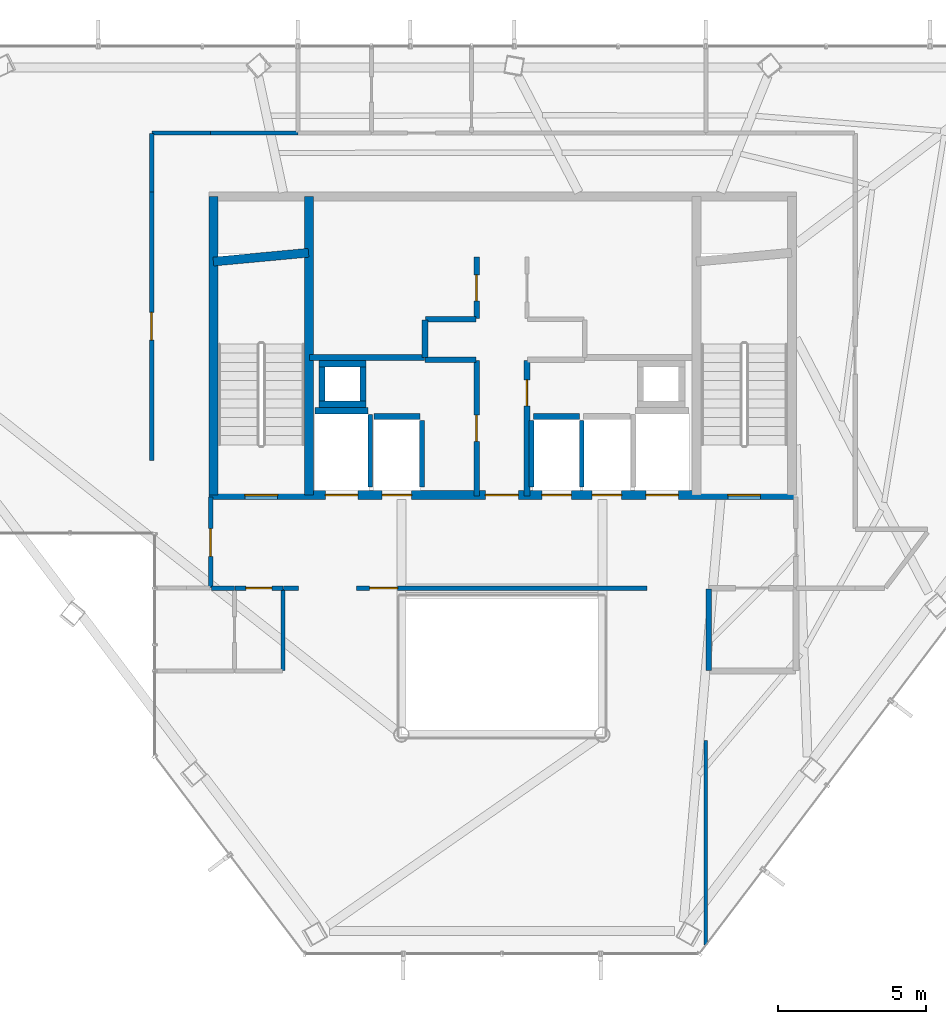
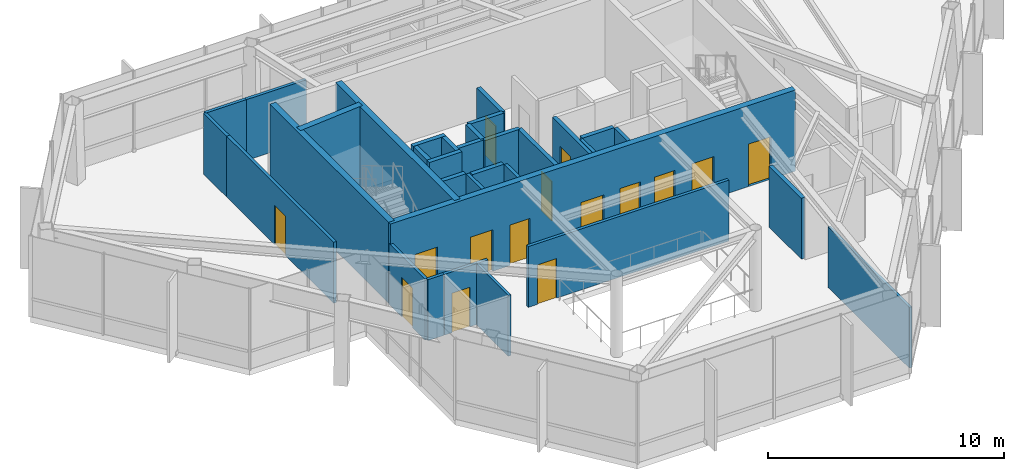
# One storey, part 19 of 22: 34 walls, 15 doors, 15 openings.
"""IFC4 building model written with IfcOpenShell, lengths in metres."""

from ifc_helpers import new_model, si_unit, direction, frame, frame_2d, origin, place, context, subcontext, project, spatial, rectangle, extrude, material, layer, layer_set, type_object, element, fill, save


model = new_model("IFC4")

# Units and contexts
model_context = context("Model", 3, precision=1e-05, world=origin(), true_north=direction((0.0, 1.0)))
body_context = subcontext(model_context, "Body", "Model", "MODEL_VIEW")
ifc_project = project(units=[si_unit("LENGTHUNIT", "METRE"), si_unit("AREAUNIT", "SQUARE_METRE"), si_unit("VOLUMEUNIT", "CUBIC_METRE"), si_unit("PLANEANGLEUNIT", "RADIAN"), si_unit("MASSUNIT", "GRAM", prefix="KILO")], contexts=[model_context])

# Site, building, storey
site_placement = place(None, origin())
site = spatial("IfcSite", under=ifc_project, at=site_placement, CompositionType="ELEMENT")
building_placement = place(site_placement, origin())
building = spatial("IfcBuilding", under=site, at=building_placement, Name="Zarrinselat Tower", CompositionType="ELEMENT")
storey_placement = place(building_placement, frame((0.0, 0.0, 204.340087890625)))
storey = spatial("IfcBuildingStorey", under=building, at=storey_placement, Name="L50", CompositionType="ELEMENT", Elevation=204.340087890625)

# Wall
ifc_material_1 = material(Name="Concrete C40/50", Category="concrete")
ifc_layer_1 = layer(ifc_material_1, 0.18994140625)
ifc_layer_set_1 = layer_set([ifc_layer_1], Name="Concrete C40/50")
wall_type_1 = type_object("IfcWallType", Name="WAL-PART-EI120", PredefinedType="PARTITIONING", material=ifc_layer_set_1)
wall_1_placement = place(storey_placement, frame((45.39990234375, 27.3701171875, 0.0), z_axis=(0.0, 0.0, 1.0), x_axis=(0.0, 1.0, 0.0)))
element("IfcWall", 1, at=wall_1_placement, inside=storey, type_object=wall_type_1, Name="L50 Partition Wall 21", PredefinedType="PARTITIONING", context=body_context, shape_type="SweptSolid", body=[
    extrude(rectangle(XDim=2.759765625, YDim=0.18994140625, at=frame_2d((1.3798828125, 0.0))), origin(), (0.0, 0.0, 1.0), 3.156982421875),
])

# Wall, opening, door
ifc_material_2 = material(Name="Fire-Rated Gypsum Board Partition", Category="gypsum")
ifc_layer_2 = layer(ifc_material_2, 0.14990234375)
ifc_layer_set_2 = layer_set([ifc_layer_2], Name="Fire-Rated Gypsum Board Partition")
wall_type_2 = type_object("IfcWallType", Name="WAL-PART-EI60", PredefinedType="PARTITIONING", material=ifc_layer_set_2)
wall_2_placement = place(storey_placement, frame((29.364990234375, 30.14990234375, 0.0), z_axis=(0.0, 0.0, 1.0), x_axis=(1.0, 0.0, 0.0)))
wall_2 = element("IfcWall", 2, at=wall_2_placement, inside=storey, type_object=wall_type_2, Name="L50 Partition Wall 15", PredefinedType="PARTITIONING", context=body_context, shape_type="SweptSolid", body=[
    extrude(rectangle(XDim=1.630126953125, YDim=0.14990234375, at=frame_2d((0.81494140625, 0.0))), origin(), (0.0, 0.0, 1.0), 3.156982421875),
])
opening_1_placement = place(wall_2_placement, frame((0.375, 0.0, 0.0)))
opening_1 = element("IfcOpeningElement", 3, at=opening_1_placement, cuts=wall_2, Name="Opening ID-03", PredefinedType="OPENING", context=body_context, shape_type="SweptSolid", body=[
    extrude(rectangle(XDim=0.8798828125, YDim=2.050048828125, at=frame_2d((0.43994140625, 1.02490234375))), frame((0.0, 0.0849609375, 0.0), z_axis=(0.0, -1.0, 0.0), x_axis=(1.0, 0.0, 0.0)), (0.0, 0.0, 1.0), 0.169921875),
])
ifc_material_3 = material(Name="Steel S355J2", Category="steel")
door_type_1 = type_object("IfcDoorType", Name="DR-INT-FD60-S", OperationType="NOTDEFINED", PredefinedType="DOOR", material=ifc_material_3)
door_1_placement = place(opening_1_placement, origin())
door_1 = element("IfcDoor", 4, at=door_1_placement, inside=storey, type_object=door_type_1, Name="L50 Interior Door P15", OperationType="SINGLE_SWING_LEFT", OverallHeight=2.050048828125, OverallWidth=0.8798828125, PredefinedType="DOOR", context=body_context, shape_type="SweptSolid", body=[
    extrude(rectangle(XDim=0.8798828125, YDim=2.050048828125, at=frame_2d((0.43994140625, 1.02490234375))), frame((0.0, 0.02490234375, 0.0), z_axis=(0.0, -1.0, 0.0), x_axis=(1.0, 0.0, 0.0)), (0.0, 0.0, 1.0), 0.050048828125),
])
fill(opening_1, door_1)

# Wall
wall_3_placement = place(storey_placement, frame((28.570068359375, 30.14990234375, 0.0), z_axis=(0.0, 0.0, 1.0), x_axis=(1.0, 0.0, 0.0)))
element("IfcWall", 5, at=wall_3_placement, inside=storey, type_object=wall_type_2, Name="L50 Partition Wall 16", PredefinedType="PARTITIONING", context=body_context, shape_type="SweptSolid", body=[
    extrude(rectangle(XDim=0.784912109375, YDim=0.14990234375, at=frame_2d((0.392578125, 0.0))), origin(), (0.0, 0.0, 1.0), 3.156982421875),
])

# Wall, opening, door
wall_4_placement = place(storey_placement, frame((33.485107421875, 30.14990234375, 0.0), z_axis=(0.0, 0.0, 1.0), x_axis=(1.0, 0.0, 0.0)))
wall_4 = element("IfcWall", 6, at=wall_4_placement, inside=storey, type_object=wall_type_2, Name="L50 Partition Wall 17", PredefinedType="PARTITIONING", context=body_context, shape_type="SweptSolid", body=[
    extrude(rectangle(XDim=9.829833984375, YDim=0.14990234375, at=frame_2d((4.9150390625, 0.0))), origin(), (0.0, 0.0, 1.0), 3.156982421875),
])
opening_2_placement = place(wall_4_placement, frame((0.445068359375, 0.0, 0.0)))
opening_2 = element("IfcOpeningElement", 7, at=opening_2_placement, cuts=wall_4, Name="Opening ID-04", PredefinedType="OPENING", context=body_context, shape_type="SweptSolid", body=[
    extrude(rectangle(XDim=0.93994140625, YDim=2.050048828125, at=frame_2d((0.469970703125, 1.02490234375))), frame((0.0, 0.0849609375, 0.0), z_axis=(0.0, -1.0, 0.0), x_axis=(1.0, 0.0, 0.0)), (0.0, 0.0, 1.0), 0.169921875),
])
ifc_material_4 = material(Name="Fire-Rated Gypsum Board Partition")
door_type_2 = type_object("IfcDoorType", Name="DR-INT-FD30-ENT", OperationType="NOTDEFINED", PredefinedType="DOOR", material=ifc_material_4)
door_2_placement = place(opening_2_placement, origin())
door_2 = element("IfcDoor", 8, at=door_2_placement, inside=storey, type_object=door_type_2, Name="L50 Interior Door P17", OperationType="SINGLE_SWING_RIGHT", OverallHeight=2.050048828125, OverallWidth=0.93994140625, PredefinedType="DOOR", context=body_context, shape_type="SweptSolid", body=[
    extrude(rectangle(XDim=0.93994140625, YDim=2.050048828125, at=frame_2d((0.469970703125, 1.02490234375))), frame((0.0, 0.02490234375, 0.0), z_axis=(0.0, -1.0, 0.0), x_axis=(1.0, 0.0, 0.0)), (0.0, 0.0, 1.0), 0.050048828125),
])
fill(opening_2, door_2)

# Wall
wall_5_placement = place(storey_placement, frame((31.0048828125, 30.14990234375, 0.0), z_axis=(0.0, 0.0, 1.0), x_axis=(1.0, 0.0, 0.0)))
element("IfcWall", 9, at=wall_5_placement, inside=storey, type_object=wall_type_2, Name="L50 Partition Wall 18", PredefinedType="PARTITIONING", context=body_context, shape_type="SweptSolid", body=[
    extrude(rectangle(XDim=0.510009765625, YDim=0.14990234375, at=frame_2d((0.2548828125, 0.0))), origin(), (0.0, 0.0, 1.0), 3.156982421875),
])

# Wall, opening, door
wall_6_placement = place(storey_placement, frame((28.550048828125, 30.169921875, 0.0), z_axis=(0.0, 0.0, 1.0), x_axis=(0.0, 1.0, 0.0)))
wall_6 = element("IfcWall", 10, at=wall_6_placement, inside=storey, type_object=wall_type_2, Name="L50 Partition Wall 19", PredefinedType="PARTITIONING", context=body_context, shape_type="SweptSolid", body=[
    extrude(rectangle(XDim=3.06005859375, YDim=0.14990234375, at=frame_2d((1.530029296875, 0.0))), origin(), (0.0, 0.0, 1.0), 3.156982421875),
])
opening_3_placement = place(wall_6_placement, frame((1.06005859375, 0.0, 0.0)))
opening_3 = element("IfcOpeningElement", 11, at=opening_3_placement, cuts=wall_6, Name="Opening ID-04", PredefinedType="OPENING", context=body_context, shape_type="SweptSolid", body=[
    extrude(rectangle(XDim=0.93994140625, YDim=2.050048828125, at=frame_2d((0.469970703125, 1.02490234375))), frame((0.0, 0.0849609375, 0.0), z_axis=(0.0, -1.0, 0.0), x_axis=(1.0, 0.0, 0.0)), (0.0, 0.0, 1.0), 0.169921875),
])
door_3_placement = place(opening_3_placement, origin())
door_3 = element("IfcDoor", 12, at=door_3_placement, inside=storey, type_object=door_type_2, Name="L50 Interior Door P19", OperationType="SINGLE_SWING_LEFT", OverallHeight=2.050048828125, OverallWidth=0.93994140625, PredefinedType="DOOR", context=body_context, shape_type="SweptSolid", body=[
    extrude(rectangle(XDim=0.93994140625, YDim=2.050048828125, at=frame_2d((0.469970703125, 1.02490234375))), frame((0.0, 0.02490234375, 0.0), z_axis=(0.0, -1.0, 0.0), x_axis=(1.0, 0.0, 0.0)), (0.0, 0.0, 1.0), 0.050048828125),
])
fill(opening_3, door_3)

wall_7_placement = place(storey_placement, frame((26.550048828125, 34.47509765625, 0.0), z_axis=(0.0, 0.0, 1.0), x_axis=(0.0, 1.0, 0.0)))
wall_7 = element("IfcWall", 13, at=wall_7_placement, inside=storey, type_object=wall_type_2, Name="L50 Partition Wall 31", PredefinedType="PARTITIONING", context=body_context, shape_type="SweptSolid", body=[
    extrude(rectangle(XDim=9.074951171875, YDim=0.14990234375, at=frame_2d((4.53759765625, 0.0))), origin(), (0.0, 0.0, 1.0), 3.156982421875),
])
opening_4_placement = place(wall_7_placement, frame((4.0673828125, 0.0, 0.0)))
opening_4 = element("IfcOpeningElement", 14, at=opening_4_placement, cuts=wall_7, Name="Opening ID-04", PredefinedType="OPENING", context=body_context, shape_type="SweptSolid", body=[
    extrude(rectangle(XDim=0.93994140625, YDim=2.050048828125, at=frame_2d((0.469970703125, 1.02490234375))), frame((0.0, 0.0849609375, 0.0), z_axis=(0.0, -1.0, 0.0), x_axis=(1.0, 0.0, 0.0)), (0.0, 0.0, 1.0), 0.169921875),
])
door_4_placement = place(opening_4_placement, origin())
door_4 = element("IfcDoor", 15, at=door_4_placement, inside=storey, type_object=door_type_2, Name="L50 Interior Door P31", OperationType="SINGLE_SWING_LEFT", OverallHeight=2.050048828125, OverallWidth=0.93994140625, PredefinedType="DOOR", context=body_context, shape_type="SweptSolid", body=[
    extrude(rectangle(XDim=0.93994140625, YDim=2.050048828125, at=frame_2d((0.469970703125, 1.02490234375))), frame((0.0, 0.02490234375, 0.0), z_axis=(0.0, -1.0, 0.0), x_axis=(1.0, 0.0, 0.0)), (0.0, 0.0, 1.0), 0.050048828125),
])
fill(opening_4, door_4)

# Walls
for number, where, z_axis, x_axis, name in (
    (16, (26.550048828125, 43.550048828125, 0.0), (0.0, 0.0, 1.0), (0.0, 1.0, 0.0), "L50 Partition Wall 32"),
    (17, (26.570068359375, 45.550048828125, 0.0), (0.0, 0.0, 1.0), (1.0, 0.0, 0.0), "L50 Partition Wall 33"),
):
    element("IfcWall", number, at=place(storey_placement, frame(where, z_axis=z_axis, x_axis=x_axis)), inside=storey, type_object=wall_type_2, Name=name, PredefinedType="PARTITIONING", context=body_context, shape_type="SweptSolid", body=[
        extrude(rectangle(XDim=1.97998046875, YDim=0.14990234375, at=frame_2d((0.989990234375, 0.0))), origin(), (0.0, 0.0, 1.0), 3.156982421875),
    ])
wall_8_placement = place(storey_placement, frame((28.550048828125, 45.550048828125, 0.0), z_axis=(0.0, 0.0, 1.0), x_axis=(1.0, 0.0, 0.0)))
element("IfcWall", 18, at=wall_8_placement, inside=storey, type_object=wall_type_2, Name="L50 Partition Wall 34", PredefinedType="PARTITIONING", context=body_context, shape_type="SweptSolid", body=[
    extrude(rectangle(XDim=2.945068359375, YDim=0.14990234375, at=frame_2d((1.47265625, 0.0))), origin(), (0.0, 0.0, 1.0), 3.156982421875),
])

# Wall, opening, door
ifc_material_5 = material(Name="Concrete C40/50", Category="concrete")
ifc_layer_3 = layer(ifc_material_5, 0.199951171875)
ifc_layer_set_3 = layer_set([ifc_layer_3], Name="Concrete C40/50")
wall_type_3 = type_object("IfcWallType", Name="WAL-PART-PLANT", PredefinedType="PARTITIONING", material=ifc_layer_set_3)
wall_9_placement = place(storey_placement, frame((37.550048828125, 33.264892578125, 0.0), z_axis=(0.0, 0.0, 1.0), x_axis=(0.0, 1.0, 0.0)))
wall_9 = element("IfcWall", 19, at=wall_9_placement, inside=storey, type_object=wall_type_3, Name="L50 Partition Wall 1", PredefinedType="PARTITIONING", context=body_context, shape_type="SweptSolid", body=[
    extrude(rectangle(XDim=4.59521484375, YDim=0.199951171875, at=frame_2d((2.297607421875, 0.0))), origin(), (0.0, 0.0, 1.0), 3.156982421875),
])
opening_5_placement = place(wall_9_placement, frame((1.857421875, 0.0, 0.0)))
opening_5 = element("IfcOpeningElement", 20, at=opening_5_placement, cuts=wall_9, Name="Opening ID-03", PredefinedType="OPENING", context=body_context, shape_type="SweptSolid", body=[
    extrude(rectangle(XDim=0.8798828125, YDim=2.050048828125, at=frame_2d((0.43994140625, 1.02490234375))), frame((0.0, 0.10986328125, 0.0), z_axis=(0.0, -1.0, 0.0), x_axis=(1.0, 0.0, 0.0)), (0.0, 0.0, 1.0), 0.219970703125),
])
door_5_placement = place(opening_5_placement, origin())
door_5 = element("IfcDoor", 21, at=door_5_placement, inside=storey, type_object=door_type_1, Name="L50 Interior Door P1", OperationType="SINGLE_SWING_LEFT", OverallHeight=2.050048828125, OverallWidth=0.8798828125, PredefinedType="DOOR", context=body_context, shape_type="SweptSolid", body=[
    extrude(rectangle(XDim=0.8798828125, YDim=2.050048828125, at=frame_2d((0.43994140625, 1.02490234375))), frame((0.0, 0.02490234375, 0.0), z_axis=(0.0, -1.0, 0.0), x_axis=(1.0, 0.0, 0.0)), (0.0, 0.0, 1.0), 0.050048828125),
])
fill(opening_5, door_5)

# Walls
wall_10_placement = place(storey_placement, frame((35.800048828125, 37.8798828125, 0.0), z_axis=(0.0, 0.0, 1.0), x_axis=(1.0, 0.0, 0.0)))
element("IfcWall", 22, at=wall_10_placement, inside=storey, type_object=wall_type_3, Name="L50 Partition Wall 2", PredefinedType="PARTITIONING", context=body_context, shape_type="SweptSolid", body=[
    extrude(rectangle(XDim=1.72998046875, YDim=0.199951171875, at=frame_2d((0.864990234375, 0.0))), origin(), (0.0, 0.0, 1.0), 3.156982421875),
])
wall_11_placement = place(storey_placement, frame((35.800048828125, 37.955078125, 0.0), z_axis=(0.0, 0.0, 1.0), x_axis=(0.0, 1.0, 0.0)))
element("IfcWall", 23, at=wall_11_placement, inside=storey, type_object=wall_type_3, Name="L50 Partition Wall 3", PredefinedType="PARTITIONING", context=body_context, shape_type="SweptSolid", body=[
    extrude(rectangle(XDim=1.27490234375, YDim=0.199951171875, at=frame_2d((0.637451171875, 0.0))), origin(), (0.0, 0.0, 1.0), 3.156982421875),
])
wall_12_placement = place(storey_placement, frame((35.820068359375, 39.25, 0.0), z_axis=(0.0, 0.0, 1.0), x_axis=(1.0, 0.0, 0.0)))
element("IfcWall", 24, at=wall_12_placement, inside=storey, type_object=wall_type_3, Name="L50 Partition Wall 4", PredefinedType="PARTITIONING", context=body_context, shape_type="SweptSolid", body=[
    extrude(rectangle(XDim=1.7099609375, YDim=0.199951171875, at=frame_2d((0.85498046875, 0.0))), origin(), (0.0, 0.0, 1.0), 3.156982421875),
])

# Wall, opening, door
wall_13_placement = place(storey_placement, frame((37.550048828125, 39.27001953125, 0.0), z_axis=(0.0, 0.0, 1.0), x_axis=(0.0, 1.0, 0.0)))
wall_13 = element("IfcWall", 25, at=wall_13_placement, inside=storey, type_object=wall_type_3, Name="L50 Partition Wall 5", PredefinedType="PARTITIONING", context=body_context, shape_type="SweptSolid", body=[
    extrude(rectangle(XDim=2.080078125, YDim=0.199951171875, at=frame_2d((1.0400390625, 0.0))), origin(), (0.0, 0.0, 1.0), 3.156982421875),
])
opening_6_placement = place(wall_13_placement, frame((0.60009765625, 0.0, 0.0)))
opening_6 = element("IfcOpeningElement", 26, at=opening_6_placement, cuts=wall_13, Name="Opening ID-03", PredefinedType="OPENING", context=body_context, shape_type="SweptSolid", body=[
    extrude(rectangle(XDim=0.8798828125, YDim=2.050048828125, at=frame_2d((0.43994140625, 1.02490234375))), frame((0.0, 0.10986328125, 0.0), z_axis=(0.0, -1.0, 0.0), x_axis=(1.0, 0.0, 0.0)), (0.0, 0.0, 1.0), 0.219970703125),
])
door_6_placement = place(opening_6_placement, origin())
door_6 = element("IfcDoor", 27, at=door_6_placement, inside=storey, type_object=door_type_1, Name="L50 Interior Door P5", OperationType="SINGLE_SWING_RIGHT", OverallHeight=2.050048828125, OverallWidth=0.8798828125, PredefinedType="DOOR", context=body_context, shape_type="SweptSolid", body=[
    extrude(rectangle(XDim=0.8798828125, YDim=2.050048828125, at=frame_2d((0.43994140625, 1.02490234375))), frame((0.0, 0.02490234375, 0.0), z_axis=(0.0, -1.0, 0.0), x_axis=(1.0, 0.0, 0.0)), (0.0, 0.0, 1.0), 0.050048828125),
])
fill(opening_6, door_6)

wall_14_placement = place(storey_placement, frame((39.25, 33.264892578125, 0.0), z_axis=(0.0, 0.0, 1.0), x_axis=(0.0, 1.0, 0.0)))
wall_14 = element("IfcWall", 28, at=wall_14_placement, inside=storey, type_object=wall_type_3, Name="L50 Partition Wall 7", PredefinedType="PARTITIONING", context=body_context, shape_type="SweptSolid", body=[
    extrude(rectangle(XDim=4.59521484375, YDim=0.199951171875, at=frame_2d((2.297607421875, 0.0))), origin(), (0.0, 0.0, 1.0), 3.156982421875),
])
opening_7_placement = place(wall_14_placement, frame((3.0576171875, 0.0, 0.0)))
opening_7 = element("IfcOpeningElement", 29, at=opening_7_placement, cuts=wall_14, Name="Opening ID-03", PredefinedType="OPENING", context=body_context, shape_type="SweptSolid", body=[
    extrude(rectangle(XDim=0.8798828125, YDim=2.050048828125, at=frame_2d((0.43994140625, 1.02490234375))), frame((0.0, 0.10986328125, 0.0), z_axis=(0.0, -1.0, 0.0), x_axis=(1.0, 0.0, 0.0)), (0.0, 0.0, 1.0), 0.219970703125),
])
door_7_placement = place(opening_7_placement, origin())
door_7 = element("IfcDoor", 30, at=door_7_placement, inside=storey, type_object=door_type_1, Name="L50 Interior Door P7", OperationType="SINGLE_SWING_LEFT", OverallHeight=2.050048828125, OverallWidth=0.8798828125, PredefinedType="DOOR", context=body_context, shape_type="SweptSolid", body=[
    extrude(rectangle(XDim=0.8798828125, YDim=2.050048828125, at=frame_2d((0.43994140625, 1.02490234375))), frame((0.0, 0.02490234375, 0.0), z_axis=(0.0, -1.0, 0.0), x_axis=(1.0, 0.0, 0.0)), (0.0, 0.0, 1.0), 0.050048828125),
])
fill(opening_7, door_7)

# Walls
wall_15_placement = place(storey_placement, frame((31.885009765625, 37.949951171875, 0.0), z_axis=(0.0, 0.0, 1.0), x_axis=(1.0, 0.0, 0.0)))
element("IfcWall", 31, at=wall_15_placement, inside=storey, type_object=wall_type_3, Name="L50 Partition Wall 11", PredefinedType="PARTITIONING", context=body_context, shape_type="SweptSolid", body=[
    extrude(rectangle(XDim=3.89501953125, YDim=0.199951171875, at=frame_2d((1.947509765625, 0.0))), origin(), (0.0, 0.0, 1.0), 3.156982421875),
])
ifc_material_6 = material(Name="Fire-Rated Gypsum Board Partition", Category="gypsum")
ifc_layer_4 = layer(ifc_material_6, 0.1201171875)
ifc_layer_set_4 = layer_set([ifc_layer_4], Name="Fire-Rated Gypsum Board Partition")
wall_type_4 = type_object("IfcWallType", Name="WAL-PART-STD", PredefinedType="PARTITIONING", material=ifc_layer_set_4)
wall_16_placement = place(storey_placement, frame((45.300048828125, 18.085205078125, 0.0), z_axis=(0.0, 0.0, 1.0), x_axis=(0.0, 1.0, 0.0)))
element("IfcWall", 32, at=wall_16_placement, inside=storey, type_object=wall_type_4, Name="L50 Partition Wall 45", PredefinedType="PARTITIONING", context=body_context, shape_type="SweptSolid", body=[
    extrude(rectangle(XDim=6.914794921875, YDim=0.1201171875, at=frame_2d((3.45751953125, 0.0))), origin(), (0.0, 0.0, 1.0), 3.156982421875),
])
ifc_material_7 = material(Name="Fire-Rated Gypsum Board Partition", Category="gypsum")
ifc_layer_5 = layer(ifc_material_7, 0.135009765625)
ifc_layer_set_5 = layer_set([ifc_layer_5], Name="Fire-Rated Gypsum Board Partition")
wall_type_5 = type_object("IfcWallType", Name="WAL-PART-WET", PredefinedType="PARTITIONING", material=ifc_layer_set_5)
wall_17_placement = place(storey_placement, frame((31.0, 27.3701171875, 0.0), z_axis=(0.0, 0.0, 1.0), x_axis=(0.0, 1.0, 0.0)))
element("IfcWall", 33, at=wall_17_placement, inside=storey, type_object=wall_type_5, Name="L50 Partition Wall 40", PredefinedType="PARTITIONING", context=body_context, shape_type="SweptSolid", body=[
    extrude(rectangle(XDim=2.759765625, YDim=0.135009765625, at=frame_2d((1.3798828125, 0.0))), origin(), (0.0, 0.0, 1.0), 3.156982421875),
])
ifc_material_8 = material(Name="Concrete C40/50", Category="concrete")
ifc_layer_6 = layer(ifc_material_8, 0.2099609375)
ifc_layer_set_6 = layer_set([ifc_layer_6], Name="Concrete C40/50")
wall_type_6 = type_object("IfcWallType", Name="WAL-SHAFT-210", PredefinedType="SOLIDWALL", material=ifc_layer_set_6)
wall_18_placement = place(storey_placement, frame((32.080078125, 36.155029296875, 0.0), z_axis=(0.0, 0.0, 1.0), x_axis=(1.0, 0.0, 0.0)))
element("IfcWall", 34, at=wall_18_placement, inside=storey, type_object=wall_type_6, Name="L50 Lift FFL1 North Shaft Wall", PredefinedType="SOLIDWALL", context=body_context, shape_type="SweptSolid", body=[
    extrude(rectangle(XDim=1.7998046875, YDim=0.2099609375, at=frame_2d((0.89990234375, 0.0))), origin(), (0.0, 0.0, 1.0), 3.171875),
])
wall_19_placement = place(storey_placement, frame((33.949951171875, 33.580078125, 0.0), z_axis=(0.0, 0.0, 1.0), x_axis=(0.0, 1.0, 0.0)))
element("IfcWall", 35, at=wall_19_placement, inside=storey, type_object=wall_type_6, Name="L50 Lift FFL1 E Shaft Wall", PredefinedType="SOLIDWALL", context=body_context, shape_type="SweptSolid", body=[
    extrude(rectangle(XDim=2.449951171875, YDim=0.159912109375, at=frame_2d((1.22509765625, 0.0))), origin(), (0.0, 0.0, 1.0), 3.171875),
])
wall_20_placement = place(storey_placement, frame((39.469970703125, 35.955078125, 0.0), z_axis=(0.0, 0.0, 1.0), x_axis=(1.0, 0.0, 0.0)))
element("IfcWall", 36, at=wall_20_placement, inside=storey, type_object=wall_type_6, Name="L50 Lift PL8 North Shaft Wall", PredefinedType="SOLIDWALL", context=body_context, shape_type="SweptSolid", body=[
    extrude(rectangle(XDim=1.56005859375, YDim=0.2099609375, at=frame_2d((0.780029296875, 0.0))), origin(), (0.0, 0.0, 1.0), 3.171875),
])
for number, where, z_axis, x_axis, name in (
    (37, (39.39990234375, 33.580078125, 0.0), (0.0, 0.0, 1.0), (0.0, 1.0, 0.0), "L50 Lift PL8 W Shaft Wall"),
    (38, (41.10009765625, 33.580078125, 0.0), (0.0, 0.0, 1.0), (0.0, 1.0, 0.0), "L50 Lift PL8 E Shaft Wall"),
):
    element("IfcWall", number, at=place(storey_placement, frame(where, z_axis=z_axis, x_axis=x_axis)), inside=storey, type_object=wall_type_6, Name=name, PredefinedType="SOLIDWALL", context=body_context, shape_type="SweptSolid", body=[
        extrude(rectangle(XDim=2.25, YDim=0.159912109375, at=frame_2d((1.125, 0.0))), origin(), (0.0, 0.0, 1.0), 3.171875),
    ])
wall_21_placement = place(storey_placement, frame((34.070068359375, 35.955078125, 0.0), z_axis=(0.0, 0.0, 1.0), x_axis=(1.0, 0.0, 0.0)))
element("IfcWall", 39, at=wall_21_placement, inside=storey, type_object=wall_type_6, Name="L50 Lift PL10 North Shaft Wall", PredefinedType="SOLIDWALL", context=body_context, shape_type="SweptSolid", body=[
    extrude(rectangle(XDim=1.559814453125, YDim=0.2099609375, at=frame_2d((0.77978515625, 0.0))), origin(), (0.0, 0.0, 1.0), 3.171875),
])
wall_22_placement = place(storey_placement, frame((35.699951171875, 33.580078125, 0.0), z_axis=(0.0, 0.0, 1.0), x_axis=(0.0, 1.0, 0.0)))
element("IfcWall", 40, at=wall_22_placement, inside=storey, type_object=wall_type_6, Name="L50 Lift PL10 E Shaft Wall", PredefinedType="SOLIDWALL", context=body_context, shape_type="SweptSolid", body=[
    extrude(rectangle(XDim=2.25, YDim=0.159912109375, at=frame_2d((1.125, 0.0))), origin(), (0.0, 0.0, 1.0), 3.171875),
])
for number, where, z_axis, x_axis, name in (
    (41, (32.2099609375, 36.375, 0.0), (0.0, 0.0, 1.0), (1.0, 0.0, 0.0), "L50 Core Riser RSR-W S Shaft Wall"),
    (42, (32.2099609375, 37.7451171875, 0.0), (0.0, 0.0, 1.0), (1.0, 0.0, 0.0), "L50 Core Riser RSR-W N Shaft Wall"),
):
    element("IfcWall", number, at=place(storey_placement, frame(where, z_axis=z_axis, x_axis=x_axis)), inside=storey, type_object=wall_type_6, Name=name, PredefinedType="SOLIDWALL", context=body_context, shape_type="SweptSolid", body=[
        extrude(rectangle(XDim=1.60009765625, YDim=0.2099609375, at=frame_2d((0.800048828125, 0.0))), origin(), (0.0, 0.0, 1.0), 4.199951171875),
    ])
for number, where, z_axis, x_axis, name in (
    (43, (32.31494140625, 36.485107421875, 0.0), (0.0, 0.0, 1.0), (0.0, 1.0, 0.0), "L50 Core Riser RSR-W W Shaft Wall"),
    (44, (33.705078125, 36.485107421875, 0.0), (0.0, 0.0, 1.0), (0.0, 1.0, 0.0), "L50 Core Riser RSR-W E Shaft Wall"),
):
    element("IfcWall", number, at=place(storey_placement, frame(where, z_axis=z_axis, x_axis=x_axis)), inside=storey, type_object=wall_type_6, Name=name, PredefinedType="SOLIDWALL", context=body_context, shape_type="SweptSolid", body=[
        extrude(rectangle(XDim=1.14990234375, YDim=0.2099609375, at=frame_2d((0.574951171875, 0.0))), origin(), (0.0, 0.0, 1.0), 4.199951171875),
    ])

# Wall, openings, doors
ifc_material_9 = material(Name="Concrete C40/50", Category="concrete")
ifc_layer_7 = layer(ifc_material_9, 0.300048828125)
ifc_layer_set_7 = layer_set([ifc_layer_7], Name="Concrete C40/50")
wall_type_7 = type_object("IfcWallType", Name="WAL-SHEAR-300", PredefinedType="SHEAR", material=ifc_layer_set_7)
wall_23_placement = place(storey_placement, frame((28.5, 33.300048828125, 0.0), z_axis=(0.0, 0.0, 1.0), x_axis=(1.0, 0.0, 0.0)))
wall_23 = element("IfcWall", 45, at=wall_23_placement, inside=storey, type_object=wall_type_7, Name="L50 South Core Shear Wall", PredefinedType="SHEAR", context=body_context, shape_type="SweptSolid", body=[
    extrude(rectangle(XDim=19.860107421875, YDim=0.300048828125, at=frame_2d((9.93017578125, 0.0))), origin(), (0.0, 0.0, 1.0), 4.199951171875),
])
opening_8_placement = place(wall_23_placement, frame((3.929931640625, 0.0, 0.0)))
opening_8 = element("IfcOpeningElement", 46, at=opening_8_placement, cuts=wall_23, Name="Opening LD-FFL1", PredefinedType="OPENING", context=body_context, shape_type="SweptSolid", body=[
    extrude(rectangle(XDim=1.10009765625, YDim=2.14990234375, at=frame_2d((0.550048828125, 1.074951171875))), frame((0.0, 0.159912109375, 0.0), z_axis=(0.0, -1.0, 0.0), x_axis=(1.0, 0.0, 0.0)), (0.0, 0.0, 1.0), 0.320068359375),
])
opening_9_placement = place(wall_23_placement, frame((14.77001953125, 0.0, 0.0)))
opening_9 = element("IfcOpeningElement", 47, at=opening_9_placement, cuts=wall_23, Name="Opening LD-FFL2", PredefinedType="OPENING", context=body_context, shape_type="SweptSolid", body=[
    extrude(rectangle(XDim=1.10009765625, YDim=2.14990234375, at=frame_2d((0.550048828125, 1.074951171875))), frame((0.0, 0.159912109375, 0.0), z_axis=(0.0, -1.0, 0.0), x_axis=(1.0, 0.0, 0.0)), (0.0, 0.0, 1.0), 0.320068359375),
])
opening_10_placement = place(wall_23_placement, frame((11.25, 0.0, 0.0)))
opening_10 = element("IfcOpeningElement", 48, at=opening_10_placement, cuts=wall_23, Name="Opening LD-PL8", PredefinedType="OPENING", context=body_context, shape_type="SweptSolid", body=[
    extrude(rectangle(XDim=1.0, YDim=2.10009765625, at=frame_2d((0.5, 1.050048828125))), frame((0.0, 0.159912109375, 0.0), z_axis=(0.0, -1.0, 0.0), x_axis=(1.0, 0.0, 0.0)), (0.0, 0.0, 1.0), 0.320068359375),
])
opening_11_placement = place(wall_23_placement, frame((12.949951171875, 0.0, 0.0)))
opening_11 = element("IfcOpeningElement", 49, at=opening_11_placement, cuts=wall_23, Name="Opening LD-PL9", PredefinedType="OPENING", context=body_context, shape_type="SweptSolid", body=[
    extrude(rectangle(XDim=1.0, YDim=2.10009765625, at=frame_2d((0.5, 1.050048828125))), frame((0.0, 0.159912109375, 0.0), z_axis=(0.0, -1.0, 0.0), x_axis=(1.0, 0.0, 0.0)), (0.0, 0.0, 1.0), 0.320068359375),
])
opening_12_placement = place(wall_23_placement, frame((5.85009765625, 0.0, 0.0)))
opening_12 = element("IfcOpeningElement", 50, at=opening_12_placement, cuts=wall_23, Name="Opening LD-PL10", PredefinedType="OPENING", context=body_context, shape_type="SweptSolid", body=[
    extrude(rectangle(XDim=1.0, YDim=2.10009765625, at=frame_2d((0.5, 1.050048828125))), frame((0.0, 0.159912109375, 0.0), z_axis=(0.0, -1.0, 0.0), x_axis=(1.0, 0.0, 0.0)), (0.0, 0.0, 1.0), 0.320068359375),
])
opening_13_placement = place(wall_23_placement, frame((1.2099609375, 0.0, 0.0)))
opening_13 = element("IfcOpeningElement", 51, at=opening_13_placement, cuts=wall_23, Name="Opening SD-01", PredefinedType="OPENING", context=body_context, shape_type="SweptSolid", body=[
    extrude(rectangle(XDim=1.10009765625, YDim=2.199951171875, at=frame_2d((0.550048828125, 1.10009765625))), frame((0.0, 0.159912109375, 0.0), z_axis=(0.0, -1.0, 0.0), x_axis=(1.0, 0.0, 0.0)), (0.0, 0.0, 1.0), 0.320068359375),
])
opening_14_placement = place(wall_23_placement, frame((9.340087890625, 0.0, 0.0)))
opening_14 = element("IfcOpeningElement", 52, at=opening_14_placement, cuts=wall_23, Name="Opening ID-02", PredefinedType="OPENING", context=body_context, shape_type="SweptSolid", body=[
    extrude(rectangle(XDim=1.1201171875, YDim=2.050048828125, at=frame_2d((0.56005859375, 1.02490234375))), frame((0.0, 0.159912109375, 0.0), z_axis=(0.0, -1.0, 0.0), x_axis=(1.0, 0.0, 0.0)), (0.0, 0.0, 1.0), 0.320068359375),
])
opening_15_placement = place(wall_23_placement, frame((17.550048828125, 0.0, 0.0)))
opening_15 = element("IfcOpeningElement", 53, at=opening_15_placement, cuts=wall_23, Name="Opening SD-01", PredefinedType="OPENING", context=body_context, shape_type="SweptSolid", body=[
    extrude(rectangle(XDim=1.10009765625, YDim=2.199951171875, at=frame_2d((0.550048828125, 1.10009765625))), frame((0.0, 0.159912109375, 0.0), z_axis=(0.0, -1.0, 0.0), x_axis=(1.0, 0.0, 0.0)), (0.0, 0.0, 1.0), 0.320068359375),
])
ifc_material_10 = material(Name="Steel S355J2", Category="steel")
door_type_3 = type_object("IfcDoorType", Name="DR-INT-FD60-W", OperationType="NOTDEFINED", PredefinedType="DOOR", material=ifc_material_10)
door_8_placement = place(opening_14_placement, origin())
door_8 = element("IfcDoor", 54, at=door_8_placement, inside=storey, type_object=door_type_3, Name="L50 Core Service Vestibule Fire Door", OperationType="SINGLE_SWING_RIGHT", OverallHeight=2.050048828125, OverallWidth=1.1201171875, PredefinedType="DOOR", context=body_context, shape_type="SweptSolid", body=[
    extrude(rectangle(XDim=1.1201171875, YDim=2.050048828125, at=frame_2d((0.56005859375, 1.02490234375))), frame((0.0, 0.02490234375, 0.0), z_axis=(0.0, -1.0, 0.0), x_axis=(1.0, 0.0, 0.0)), (0.0, 0.0, 1.0), 0.050048828125),
])
fill(opening_14, door_8)
ifc_material_11 = material(Name="Steel S355J2", Category="steel")
door_type_4 = type_object("IfcDoorType", Name="DR-LIFT-FF-1100", OperationType="NOTDEFINED", PredefinedType="DOOR", material=ifc_material_11)
door_9_placement = place(opening_8_placement, origin())
door_9 = element("IfcDoor", 55, at=door_9_placement, inside=storey, type_object=door_type_4, Name="L50 Lift FFL1 Sliding Landing Door", OperationType="SLIDING_TO_LEFT", OverallHeight=2.14990234375, OverallWidth=1.10009765625, PredefinedType="DOOR", context=body_context, shape_type="SweptSolid", body=[
    extrude(rectangle(XDim=1.10009765625, YDim=2.14990234375, at=frame_2d((0.550048828125, 1.074951171875))), frame((0.0, 0.02490234375, 0.0), z_axis=(0.0, -1.0, 0.0), x_axis=(1.0, 0.0, 0.0)), (0.0, 0.0, 1.0), 0.050048828125),
])
fill(opening_8, door_9)
door_10_placement = place(opening_9_placement, origin())
door_10 = element("IfcDoor", 56, at=door_10_placement, inside=storey, type_object=door_type_4, Name="L50 Lift FFL2 Sliding Landing Door", OperationType="SLIDING_TO_RIGHT", OverallHeight=2.14990234375, OverallWidth=1.10009765625, PredefinedType="DOOR", context=body_context, shape_type="SweptSolid", body=[
    extrude(rectangle(XDim=1.10009765625, YDim=2.14990234375, at=frame_2d((0.550048828125, 1.074951171875))), frame((0.0, 0.02490234375, 0.0), z_axis=(0.0, -1.0, 0.0), x_axis=(1.0, 0.0, 0.0)), (0.0, 0.0, 1.0), 0.050048828125),
])
fill(opening_9, door_10)
ifc_material_12 = material(Name="Steel S355J2", Category="steel")
door_type_5 = type_object("IfcDoorType", Name="DR-LIFT-PS-1000", OperationType="NOTDEFINED", PredefinedType="DOOR", material=ifc_material_12)
door_11_placement = place(opening_10_placement, origin())
door_11 = element("IfcDoor", 57, at=door_11_placement, inside=storey, type_object=door_type_5, Name="L50 Lift PL8 Sliding Landing Door", OperationType="SLIDING_TO_RIGHT", OverallHeight=2.10009765625, OverallWidth=1.0, PredefinedType="DOOR", context=body_context, shape_type="SweptSolid", body=[
    extrude(rectangle(XDim=1.0, YDim=2.10009765625, at=frame_2d((0.5, 1.050048828125))), frame((0.0, 0.02490234375, 0.0), z_axis=(0.0, -1.0, 0.0), x_axis=(1.0, 0.0, 0.0)), (0.0, 0.0, 1.0), 0.050048828125),
])
fill(opening_10, door_11)
door_12_placement = place(opening_11_placement, origin())
door_12 = element("IfcDoor", 58, at=door_12_placement, inside=storey, type_object=door_type_5, Name="L50 Lift PL9 Sliding Landing Door", OperationType="SLIDING_TO_LEFT", OverallHeight=2.10009765625, OverallWidth=1.0, PredefinedType="DOOR", context=body_context, shape_type="SweptSolid", body=[
    extrude(rectangle(XDim=1.0, YDim=2.10009765625, at=frame_2d((0.5, 1.050048828125))), frame((0.0, 0.02490234375, 0.0), z_axis=(0.0, -1.0, 0.0), x_axis=(1.0, 0.0, 0.0)), (0.0, 0.0, 1.0), 0.050048828125),
])
fill(opening_11, door_12)
door_13_placement = place(opening_12_placement, origin())
door_13 = element("IfcDoor", 59, at=door_13_placement, inside=storey, type_object=door_type_5, Name="L50 Lift PL10 Sliding Landing Door", OperationType="SLIDING_TO_RIGHT", OverallHeight=2.10009765625, OverallWidth=1.0, PredefinedType="DOOR", context=body_context, shape_type="SweptSolid", body=[
    extrude(rectangle(XDim=1.0, YDim=2.10009765625, at=frame_2d((0.5, 1.050048828125))), frame((0.0, 0.02490234375, 0.0), z_axis=(0.0, -1.0, 0.0), x_axis=(1.0, 0.0, 0.0)), (0.0, 0.0, 1.0), 0.050048828125),
])
fill(opening_12, door_13)
ifc_material_13 = material(Name="Steel S355J2", Category="steel")
door_type_6 = type_object("IfcDoorType", Name="DR-STAIR-1100", OperationType="NOTDEFINED", PredefinedType="DOOR", material=ifc_material_13)
door_14_placement = place(opening_13_placement, origin())
door_14 = element("IfcDoor", 60, at=door_14_placement, inside=storey, type_object=door_type_6, Name="L50 Exit Stair 1 Fire Door", OperationType="SINGLE_SWING_LEFT", OverallHeight=2.199951171875, OverallWidth=1.10009765625, PredefinedType="DOOR", context=body_context, shape_type="SweptSolid", body=[
    extrude(rectangle(XDim=1.10009765625, YDim=2.199951171875, at=frame_2d((0.550048828125, 1.10009765625))), frame((0.0, 0.02490234375, 0.0), z_axis=(0.0, -1.0, 0.0), x_axis=(1.0, 0.0, 0.0)), (0.0, 0.0, 1.0), 0.050048828125),
])
fill(opening_13, door_14)
door_15_placement = place(opening_15_placement, origin())
door_15 = element("IfcDoor", 61, at=door_15_placement, inside=storey, type_object=door_type_6, Name="L50 Exit Stair 2 Fire Door", OperationType="SINGLE_SWING_RIGHT", OverallHeight=2.199951171875, OverallWidth=1.10009765625, PredefinedType="DOOR", context=body_context, shape_type="SweptSolid", body=[
    extrude(rectangle(XDim=1.10009765625, YDim=2.199951171875, at=frame_2d((0.550048828125, 1.10009765625))), frame((0.0, 0.02490234375, 0.0), z_axis=(0.0, -1.0, 0.0), x_axis=(1.0, 0.0, 0.0)), (0.0, 0.0, 1.0), 0.050048828125),
])
fill(opening_15, door_15)

# Walls
for number, where, z_axis, x_axis, name in (
    (62, (28.64990234375, 33.300048828125, 0.0), (0.0, 0.0, 1.0), (0.0, 1.0, 0.0), "L50 Core Shear Wall W"),
    (63, (31.8701171875, 33.300048828125, 0.0), (0.0, 0.0, 1.0), (0.0, 1.0, 0.0), "L50 Core Shear Wall ST1E"),
):
    element("IfcWall", number, at=place(storey_placement, frame(where, z_axis=z_axis, x_axis=x_axis)), inside=storey, type_object=wall_type_7, Name=name, PredefinedType="SHEAR", context=body_context, shape_type="SweptSolid", body=[
        extrude(rectangle(XDim=10.099853515625, YDim=0.300048828125, at=frame_2d((5.0498046875, 0.0))), origin(), (0.0, 0.0, 1.0), 4.199951171875),
    ])
wall_24_placement = place(storey_placement, frame((28.639892578125, 41.199951171875, 0.0), z_axis=(0.0, 0.0, 1.0), x_axis=(0.995687118776, 0.092774789157, 0.0)))
element("IfcWall", 64, at=wall_24_placement, inside=storey, type_object=wall_type_7, Name="L50 Stair 1 North Shaft Wall", PredefinedType="SHEAR", context=body_context, shape_type="SweptSolid", body=[
    extrude(rectangle(XDim=3.234130859375, YDim=0.300048828125, at=frame_2d((1.6171875, 0.0))), origin(), (0.0, 0.0, 1.0), 4.199951171875),
])

save(model, "model.ifc")
